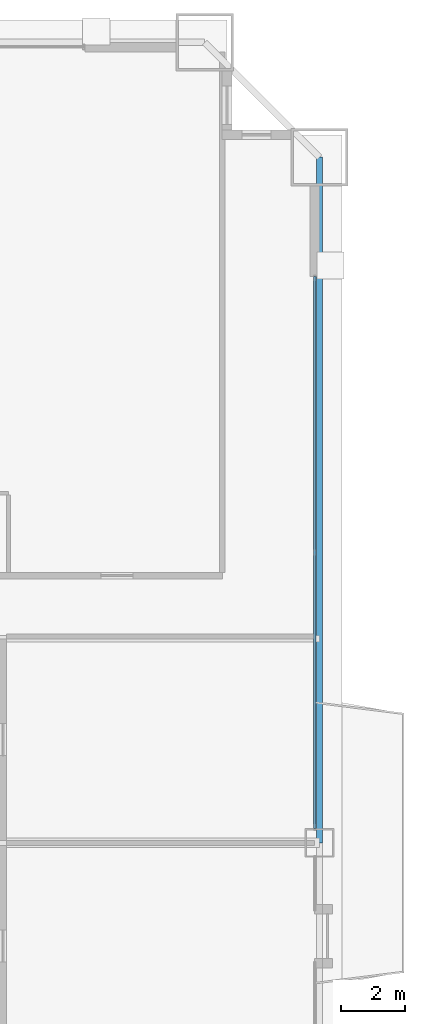
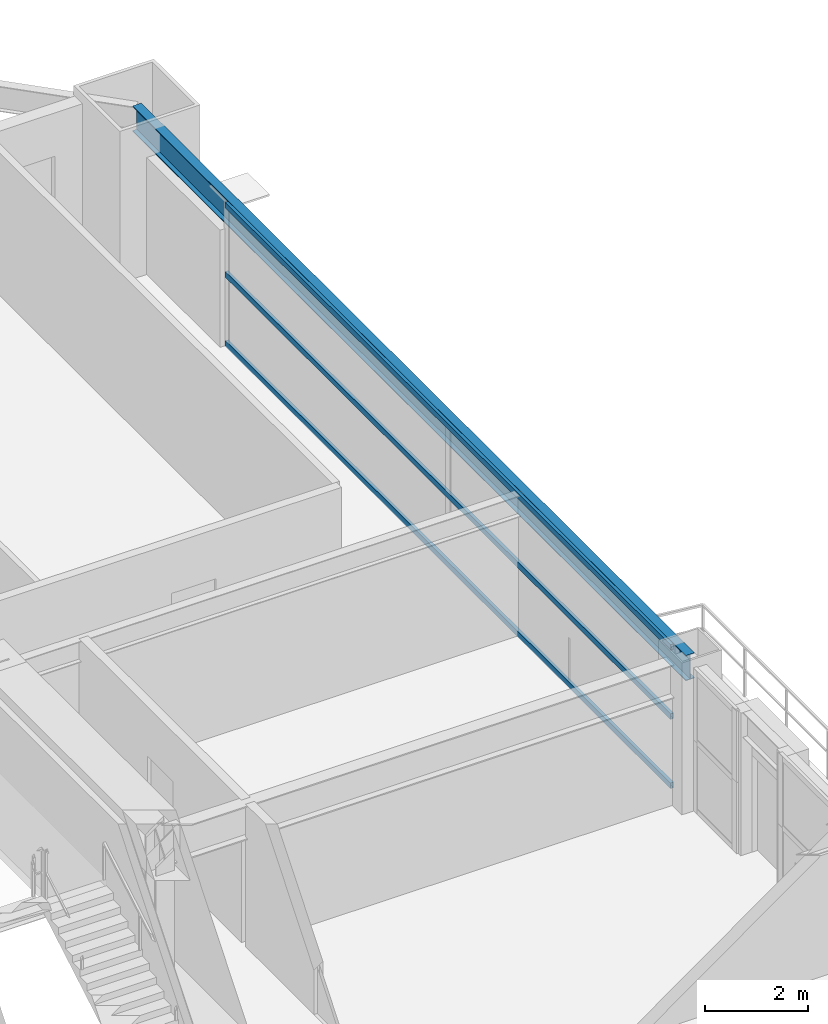
# One storey, part 32 of 43: 3 members, 1 beam, 1 element without a shape of its own.
"""IFC4 building model written with IfcOpenShell, lengths in metres."""

from ifc_helpers import new_model, si_unit, direction, frame, origin, origin_2d, place, context, subcontext, project, spatial, hollow_rectangle, i_section, extrude, source, transform, mapped, material, layer, layer_set, material_profile, profile_set, type_object, element, aggregate, save


model = new_model("IFC4")

# Units and contexts
model_context = context("Model", 3, precision=1e-05, world=origin(), true_north=direction((0.0, 1.0)))
body_context = subcontext(model_context, "Body", "Model", "MODEL_VIEW")
ifc_project = project(units=[si_unit("LENGTHUNIT", "METRE"), si_unit("AREAUNIT", "SQUARE_METRE"), si_unit("VOLUMEUNIT", "CUBIC_METRE"), si_unit("PLANEANGLEUNIT", "RADIAN"), si_unit("MASSUNIT", "GRAM", prefix="KILO"), si_unit("THERMODYNAMICTEMPERATUREUNIT", "KELVIN"), si_unit("POWERUNIT", "WATT")], contexts=[model_context])

# Site, building, storey
site_placement = place(None, origin())
site = spatial("IfcSite", under=ifc_project, at=site_placement, CompositionType="ELEMENT")
building_placement = place(site_placement, origin())
building = spatial("IfcBuilding", under=site, at=building_placement, Name="Yuzanri Waterfront Tower", CompositionType="ELEMENT")
storey_placement = place(building_placement, frame((0.0, 0.0, 71.199951171875)))
storey = spatial("IfcBuildingStorey", under=building, at=storey_placement, Name="L18", CompositionType="ELEMENT", Elevation=71.199951171875)

# Beam
ifc_material_1 = material(Name="Steel Q355B", Category="steel")
ifc_material_profile_1 = material_profile(ifc_material_1, i_section(OverallWidth=0.199951171875, OverallDepth=0.60009765625, WebThickness=0.010986328125, FlangeThickness=0.01708984375, at=origin_2d()), Name="HN 600x200x11x17")
ifc_profile_set_1 = profile_set([ifc_material_profile_1], Name="Steel Q355B")
beam_type = type_object("IfcBeamType", Name="Perimeter Spandrel Q355B HN 600x200", PredefinedType="SPANDREL", material=ifc_profile_set_1)
shared_shape_1 = source(origin(), body_context, "Body", "SweptSolid", [
    extrude(i_section(OverallWidth=0.199951171875, OverallDepth=0.60009765625, WebThickness=0.010986328125, FlangeThickness=0.01708984375, at=origin_2d()), origin(), (0.0, 0.0, 1.0), 21.5),
])
beam_placement = place(storey_placement, frame((62.10009765625, 25.800048828125, 3.080078125), z_axis=(0.0, 1.0, 0.0), x_axis=(-1.0, 0.0, 0.0)))
element("IfcBeam", 1, at=beam_placement, inside=storey, type_object=beam_type, Name="L18 Perimeter Spandrel E2-E3", PredefinedType="SPANDREL", context=body_context, shape_type="MappedRepresentation", body=[
    mapped(shared_shape_1, transform((0.0, 0.0, 0.0), scale=1.0)),
])

# Curtain wall, members
ifc_material_2 = material(Name="Anodized Architectural Bronze", Category="metal")
ifc_layer = layer(ifc_material_2, 0.159912109375)
ifc_layer_set = layer_set([ifc_layer], Name="Anodized Architectural Bronze")
curtain_wall_type = type_object("IfcCurtainWallType", Name="Anodized Bronze Hotel Lower-Tier Recessed Unitized Curtain Wall 8100", PredefinedType="NOTDEFINED", material=ifc_layer_set)
curtain_wall_placement = place(storey_placement, origin())
curtain_wall = element("IfcCurtainWall", 2, at=curtain_wall_placement, inside=storey, type_object=curtain_wall_type, Name="L18 Curtain Wall CW-L18-ER", PredefinedType="NOTDEFINED")
ifc_material_3 = material(Name="Anodized Architectural Bronze", Category="metal")
ifc_material_profile_2 = material_profile(ifc_material_3, hollow_rectangle(XDim=0.070068359375, YDim=0.135009765625, WallThickness=0.00341796875, at=origin_2d()), Name="CWT 70x135")
ifc_profile_set_2 = profile_set([ifc_material_profile_2], Name="Anodized Architectural Bronze")
member_type = type_object("IfcMemberType", Name="Anodized Bronze Standard Curtain-Wall Transom 70x135", PredefinedType="USERDEFINED", material=ifc_profile_set_2)
shared_shape_2 = source(origin(), body_context, "Body", "SweptSolid", [
    extrude(hollow_rectangle(XDim=0.070068359375, YDim=0.135009765625, WallThickness=0.00341796875, at=origin_2d()), origin(), (0.0, 0.0, 1.0), 17.300048828125),
])
member_1_placement = place(storey_placement, frame((61.949951171875, 26.25, 0.050048828125), z_axis=(0.0, 1.0, 0.0), x_axis=(-1.0, 0.0, 0.0)))
member_1 = element("IfcMember", 3, at=member_1_placement, type_object=member_type, Name="CW-L18-ER Transom 1", ObjectType="TRANSOM", PredefinedType="USERDEFINED", context=body_context, shape_type="MappedRepresentation", body=[
    mapped(shared_shape_2, transform((0.0, 0.0, 0.0), scale=1.0)),
])
member_2_placement = place(storey_placement, frame((61.949951171875, 26.25, 1.68994140625), z_axis=(0.0, 1.0, 0.0), x_axis=(-1.0, 0.0, 0.0)))
member_2 = element("IfcMember", 4, at=member_2_placement, type_object=member_type, Name="CW-L18-ER Transom 2", ObjectType="TRANSOM", PredefinedType="USERDEFINED", context=body_context, shape_type="MappedRepresentation", body=[
    mapped(shared_shape_2, transform((0.0, 0.0, 0.0), scale=1.0)),
])
member_3_placement = place(storey_placement, frame((61.949951171875, 26.25, 3.330078125), z_axis=(0.0, 1.0, 0.0), x_axis=(-1.0, 0.0, 0.0)))
member_3 = element("IfcMember", 5, at=member_3_placement, type_object=member_type, Name="CW-L18-ER Transom 3", ObjectType="TRANSOM", PredefinedType="USERDEFINED", context=body_context, shape_type="MappedRepresentation", body=[
    mapped(shared_shape_2, transform((0.0, 0.0, 0.0), scale=1.0)),
])
aggregate(curtain_wall, [member_1, member_2, member_3])

save(model, "model.ifc")
